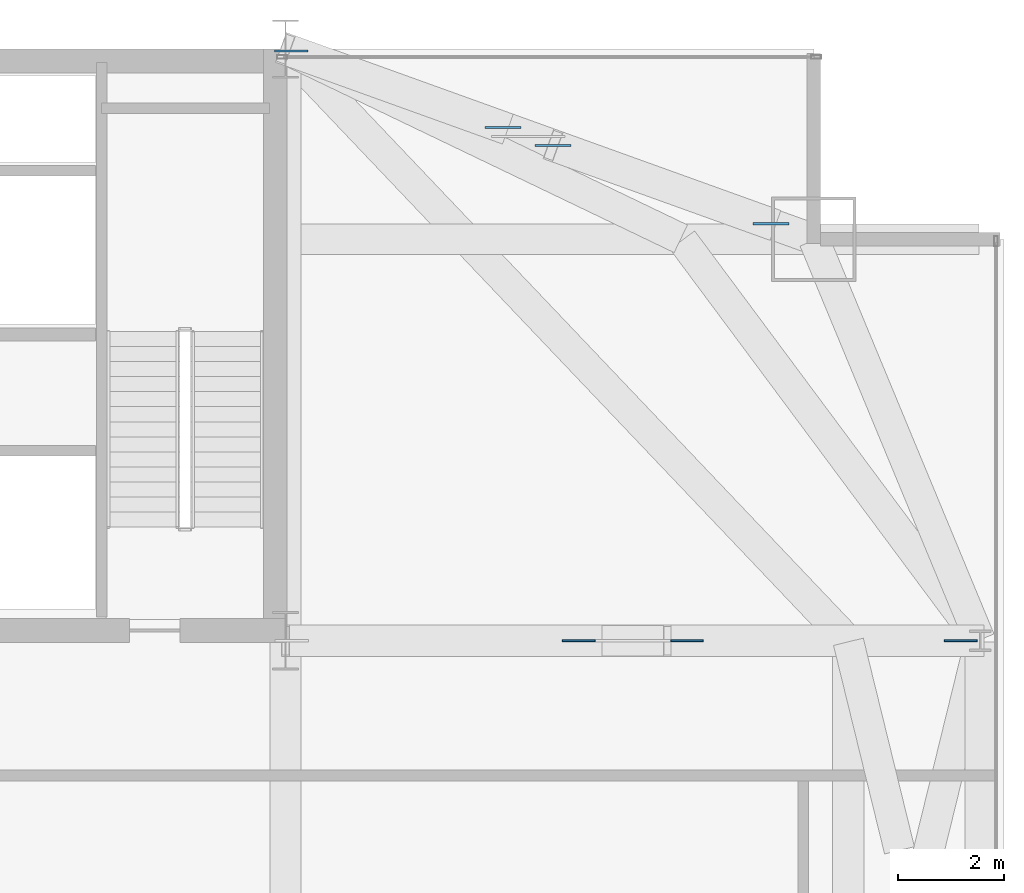
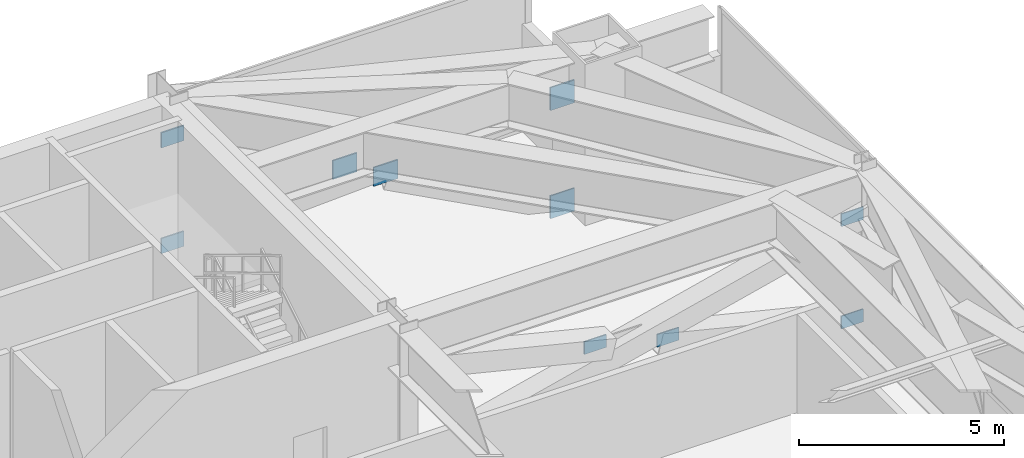
# One storey, part 27 of 30: 10 plates.
"""IFC4 building model written with IfcOpenShell, lengths in metres."""

from ifc_helpers import new_model, si_unit, direction, frame, origin, origin_2d, place, context, subcontext, project, spatial, rectangle, extrude, source, transform, mapped, material, layer, layer_set, type_object, type_shapes, element, save


model = new_model("IFC4")

# Units and contexts
model_context = context("Model", 3, precision=1e-05, world=origin(), true_north=direction((0.0, 1.0)))
body_context = subcontext(model_context, "Body", "Model", "MODEL_VIEW")
ifc_project = project(units=[si_unit("LENGTHUNIT", "METRE"), si_unit("AREAUNIT", "SQUARE_METRE"), si_unit("VOLUMEUNIT", "CUBIC_METRE"), si_unit("PLANEANGLEUNIT", "RADIAN"), si_unit("MASSUNIT", "GRAM", prefix="KILO")], contexts=[model_context])

# Site, building, storey
site_placement = place(None, origin())
site = spatial("IfcSite", under=ifc_project, at=site_placement, CompositionType="ELEMENT")
building_placement = place(site_placement, origin())
building = spatial("IfcBuilding", under=site, at=building_placement, Name="Varnel Quay Broadcast Tower", CompositionType="ELEMENT")
storey_placement = place(building_placement, frame((0.0, 0.0, 82.199951171875)))
storey = spatial("IfcBuildingStorey", under=building, at=storey_placement, Name="L19", CompositionType="ELEMENT", Elevation=82.199951171875)

# Plates
ifc_material = material(Name="Structural Steel CSA G40.21 350WT", Category="steel")
ifc_layer_1 = layer(ifc_material, 0.0400390625, Name="Structural Steel CSA G40.21 350WT")
ifc_layer_set_1 = layer_set([ifc_layer_1], Name="Structural Steel CSA G40.21 350WT")
plate_type_1 = type_object("IfcPlateType", Name="Plate_EmbedPlate", PredefinedType="USERDEFINED", material=ifc_layer_set_1)
shared_shape_1 = source(origin(), body_context, "Body", "SweptSolid", [
    extrude(rectangle(XDim=0.639892578125, YDim=0.0400390625, at=origin_2d()), origin(), (0.0, 0.0, 1.0), 0.449951171875),
])
type_shapes(plate_type_1, [shared_shape_1])
for number, where, z_axis, x_axis, name in (
    (1, (52.507080078125, 46.761474609375, -0.16748046875), (0.0, 0.0, 1.0), (1.0, 0.0, 0.0), "L19 Outrigger NE Diag A Wall Cast-In Embed Plate P0"),
    (2, (52.507080078125, 46.761474609375, 2.9775390625), (0.0, 0.0, 1.0), (1.0, 0.0, 0.0), "L19 Outrigger NE Diag B2 Wall Cast-In Embed Plate P1"),
):
    element("IfcPlate", number, at=place(storey_placement, frame(where, z_axis=z_axis, x_axis=x_axis)), inside=storey, type_object=plate_type_1, Name=name, ObjectType="EMBED_PLATE", PredefinedType="USERDEFINED", context=body_context, shape_type="MappedRepresentation", body=[
        mapped(shared_shape_1, transform((0.0, 0.0, 0.0), x_axis=(1.0, 0.0, 0.0), y_axis=(0.0, 1.0, 0.0), z_axis=(0.0, 0.0, 1.0), scale=1.0)),
    ])
ifc_layer_2 = layer(ifc_material, 0.031982421875, Name="Structural Steel CSA G40.21 350WT")
ifc_layer_set_2 = layer_set([ifc_layer_2], Name="Structural Steel CSA G40.21 350WT")
plate_type_2 = type_object("IfcPlateType", Name="Plate_EndCap", PredefinedType="USERDEFINED", material=ifc_layer_set_2)
shared_shape_2 = source(origin(), body_context, "Body", "SweptSolid", [
    extrude(rectangle(XDim=0.679931640625, YDim=0.0400390625, at=origin_2d()), origin(), (0.0, 0.0, 1.0), 0.679931640625),
])
for number, where, z_axis, x_axis, name in (
    (3, (61.5859375, 43.4931640625, 2.89990234375), (0.0, 0.0, 1.0), (1.0, 0.0, 0.0), "L19 Outrigger NE Diag A End Connection Plate P1"),
    (4, (61.5859375, 43.4931640625, -0.31982421875), (0.0, 0.0, 1.0), (1.0, 0.0, 0.0), "L19 Outrigger NE Diag B1 End Connection Plate P0"),
):
    element("IfcPlate", number, at=place(storey_placement, frame(where, z_axis=z_axis, x_axis=x_axis)), inside=storey, type_object=plate_type_2, Name=name, ObjectType="CAP_PLATE", PredefinedType="USERDEFINED", context=body_context, shape_type="MappedRepresentation", body=[
        mapped(shared_shape_2, transform((0.0, 0.0, 0.0), x_axis=(1.0, 0.0, 0.0), y_axis=(0.0, 1.0, 0.0), z_axis=(0.0, 0.0, 1.0), scale=1.0)),
    ])
shared_shape_3 = source(origin(), body_context, "Body", "SweptSolid", [
    extrude(rectangle(XDim=0.679931640625, YDim=0.0400390625, at=origin_2d()), origin(), (0.0, 0.0, 1.0), 0.56005859375),
])
for number, where, z_axis, x_axis, name in (
    (5, (57.466064453125, 44.976318359375, 1.184326171875), (0.0, 0.0, 1.0), (1.0, 0.0, 0.0), "L19 Outrigger NE Diag B1 End Connection Plate P1"),
    (6, (56.52001953125, 45.31689453125, 1.515869140625), (0.0, 0.0, 1.0), (1.0, 0.0, 0.0), "L19 Outrigger NE Diag B2 End Connection Plate P0"),
):
    element("IfcPlate", number, at=place(storey_placement, frame(where, z_axis=z_axis, x_axis=x_axis)), inside=storey, type_object=plate_type_2, Name=name, ObjectType="CAP_PLATE", PredefinedType="USERDEFINED", context=body_context, shape_type="MappedRepresentation", body=[
        mapped(shared_shape_3, transform((0.0, 0.0, 0.0), x_axis=(1.0, 0.0, 0.0), y_axis=(0.0, 1.0, 0.0), z_axis=(0.0, 0.0, 1.0), scale=1.0)),
    ])
shared_shape_4 = source(origin(), body_context, "Body", "SweptSolid", [
    extrude(rectangle(XDim=0.6201171875, YDim=0.031982421875, at=origin_2d()), origin(), (0.0, 0.0, 1.0), 0.3798828125),
])
type_shapes(plate_type_2, [shared_shape_2, shared_shape_3, shared_shape_4])
for number, where, z_axis, x_axis, name in (
    (7, (65.180908203125, 35.60009765625, 2.959716796875), (0.0, 0.0, 1.0), (1.0, 0.0, 0.0), "L19 Outrigger E Diag A End Connection Plate P1"),
    (8, (65.180908203125, 35.60009765625, -0.07958984375), (0.0, 0.0, 1.0), (1.0, 0.0, 0.0), "L19 Outrigger E Diag B1 End Connection Plate P0"),
    (9, (59.9990234375, 35.60009765625, 1.189208984375), (0.0, 0.0, 1.0), (1.0, 0.0, 0.0), "L19 Outrigger E Diag B1 End Connection Plate P1"),
    (10, (57.950927734375, 35.60009765625, 1.69091796875), (0.0, 0.0, 1.0), (1.0, 0.0, 0.0), "L19 Outrigger E Diag B2 End Connection Plate P0"),
):
    element("IfcPlate", number, at=place(storey_placement, frame(where, z_axis=z_axis, x_axis=x_axis)), inside=storey, type_object=plate_type_2, Name=name, ObjectType="CAP_PLATE", PredefinedType="USERDEFINED", context=body_context, shape_type="MappedRepresentation", body=[
        mapped(shared_shape_4, transform((0.0, 0.0, 0.0), x_axis=(1.0, 0.0, 0.0), y_axis=(0.0, 1.0, 0.0), z_axis=(0.0, 0.0, 1.0), scale=1.0)),
    ])

save(model, "model.ifc")
